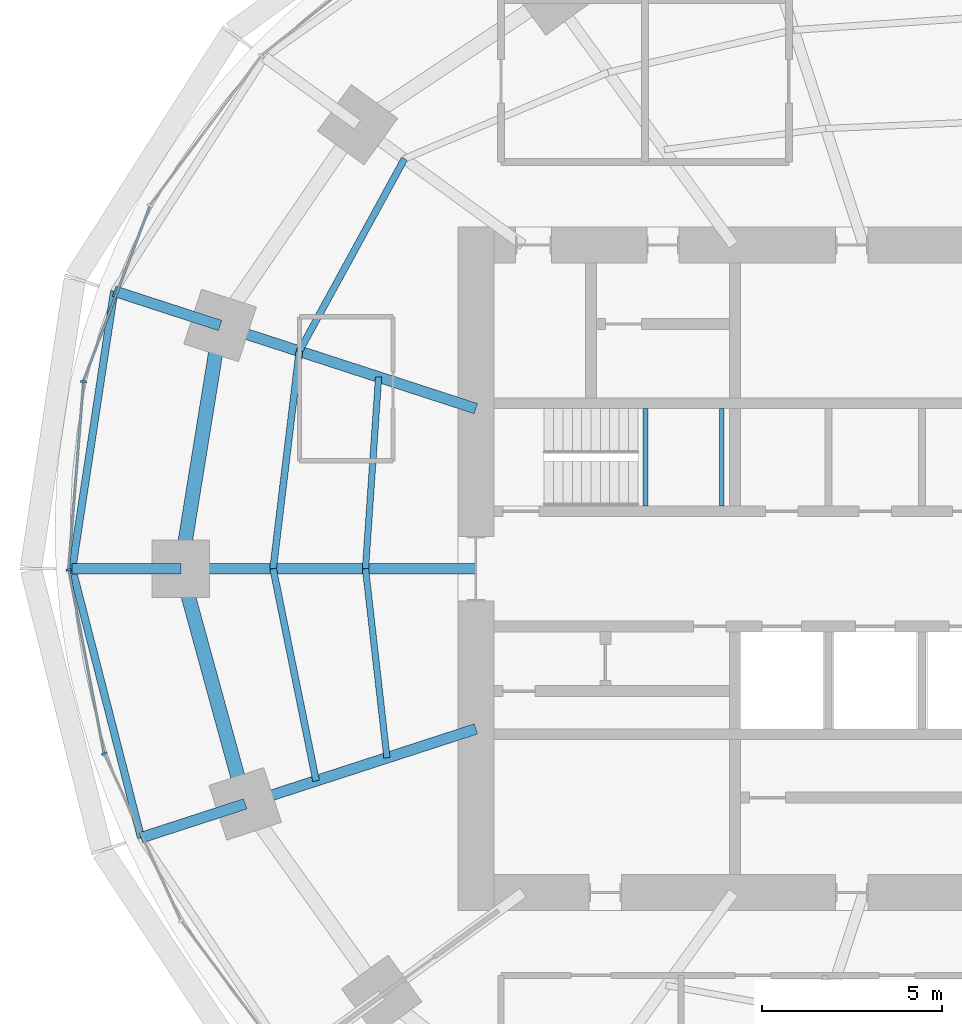
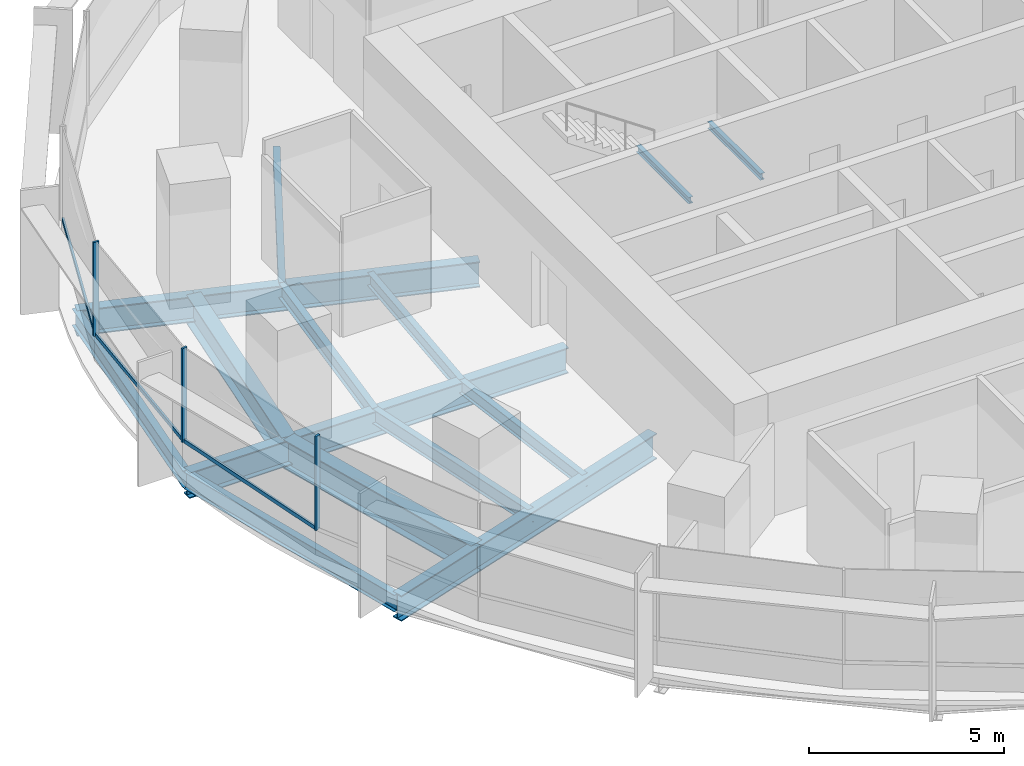
# One storey, part 4 of 14: 17 beams, 6 members, 2 elements without a shape of their own.
"""IFC4 building model written with IfcOpenShell, lengths in metres."""

from ifc_helpers import new_model, si_unit, direction, frame, origin, origin_2d, place, context, subcontext, project, spatial, rectangle, i_section, extrude, material, material_profile, profile_set, type_object, element, aggregate, save


model = new_model("IFC4")

# Units and contexts
model_context = context("Model", 3, precision=1e-05, world=origin(), true_north=direction((0.0, 1.0)))
body_context = subcontext(model_context, "Body", "Model", "MODEL_VIEW")
ifc_project = project(units=[si_unit("LENGTHUNIT", "METRE"), si_unit("AREAUNIT", "SQUARE_METRE"), si_unit("VOLUMEUNIT", "CUBIC_METRE"), si_unit("PLANEANGLEUNIT", "RADIAN"), si_unit("MASSUNIT", "GRAM", prefix="KILO")], contexts=[model_context])

# Site, building, storey
site_placement = place(None, origin())
site = spatial("IfcSite", under=ifc_project, at=site_placement, CompositionType="ELEMENT")
building_placement = place(site_placement, origin())
building = spatial("IfcBuilding", under=site, at=building_placement, Name="Marramba Exchange Tower", CompositionType="ELEMENT")
storey_placement = place(building_placement, frame((0.0, 0.0, 139.199951171875)))
storey = spatial("IfcBuildingStorey", under=building, at=storey_placement, Name="L33", CompositionType="ELEMENT", Elevation=139.199951171875)

# Beams
ifc_material_1 = material(Name="Steel AS/NZS 3679.2 grade 300", Category="steel")
ifc_material_profile_1 = material_profile(ifc_material_1, i_section(OverallWidth=0.300048828125, OverallDepth=0.800048828125, WebThickness=0.013916015625, FlangeThickness=0.031982421875, at=origin_2d()), Name="800WB192")
ifc_profile_set_1 = profile_set([ifc_material_profile_1], Name="Steel AS/NZS 3679.2 grade 300")
beam_type_1 = type_object("IfcBeamType", Name="Cantilever girder 800WB192", PredefinedType="BEAM", material=ifc_profile_set_1)
beam_1_placement = place(storey_placement, frame((-20.808349609375, 6.760986328125, -0.56005859375), z_axis=(-0.95104799017, 0.309043233858, 0.0), x_axis=(-0.309043233858, -0.95104799017, 0.0)))
element("IfcBeam", 1, at=beam_1_placement, inside=storey, type_object=beam_type_1, Name="Cantilever girder L33 TC10", PredefinedType="BEAM", context=body_context, shape_type="SweptSolid", body=[
    extrude(i_section(OverallWidth=0.300048828125, OverallDepth=0.800048828125, WebThickness=0.013916015625, FlangeThickness=0.031982421875, at=origin_2d()), origin(), (0.0, 0.0, 1.0), 3.0927734375),
])
beam_2_placement = place(storey_placement, frame((-21.89990234375, 0.0, -0.56005859375), z_axis=(-1.0, 0.0, 0.0), x_axis=(0.0, -1.0, 0.0)))
element("IfcBeam", 2, at=beam_2_placement, inside=storey, type_object=beam_type_1, Name="Cantilever girder L33 TC11", PredefinedType="BEAM", context=body_context, shape_type="SweptSolid", body=[
    extrude(i_section(OverallWidth=0.300048828125, OverallDepth=0.800048828125, WebThickness=0.013916015625, FlangeThickness=0.031982421875, at=origin_2d()), origin(), (0.0, 0.0, 1.0), 3.01806640625),
])
beam_3_placement = place(storey_placement, frame((-20.109375, -6.533935546875, -0.56005859375), z_axis=(-0.951070617775, -0.308973591113, 0.0), x_axis=(0.308973591113, -0.951070617775, 0.0)))
element("IfcBeam", 3, at=beam_3_placement, inside=storey, type_object=beam_type_1, Name="Cantilever girder L33 TC12", PredefinedType="BEAM", context=body_context, shape_type="SweptSolid", body=[
    extrude(i_section(OverallWidth=0.300048828125, OverallDepth=0.800048828125, WebThickness=0.013916015625, FlangeThickness=0.031982421875, at=origin_2d()), origin(), (0.0, 0.0, 1.0), 3.04296875),
])
ifc_material_2 = material(Name="Steel AS/NZS 3679.1 grade 300", Category="steel")
ifc_material_profile_2 = material_profile(ifc_material_2, i_section(OverallWidth=0.177978515625, OverallDepth=0.406005859375, WebThickness=0.0078125, FlangeThickness=0.0126953125, FilletRadius=0.011474609375, at=origin_2d()), Name="410UB59.7")
ifc_profile_set_2 = profile_set([ifc_material_profile_2], Name="Steel AS/NZS 3679.1 grade 300")
beam_type_2 = type_object("IfcBeamType", Name="Floor joist 410UB59.7", PredefinedType="JOIST", material=ifc_profile_set_2)
beam_4_placement = place(storey_placement, frame((-16.40283203125, 5.32958984375, -0.363037109375), z_axis=(-0.068096259546, -0.99767875563, 0.0), x_axis=(0.99767875563, -0.068096259546, 0.0)))
element("IfcBeam", 4, at=beam_4_placement, inside=storey, type_object=beam_type_2, Name="Joist L33 bay 10 row 1", PredefinedType="JOIST", context=body_context, shape_type="SweptSolid", body=[
    extrude(i_section(OverallWidth=0.177978515625, OverallDepth=0.406005859375, WebThickness=0.0078125, FlangeThickness=0.0126953125, FilletRadius=0.011474609375, at=origin_2d()), origin(), (0.0, 0.0, 1.0), 5.342041015625),
])
beam_5_placement = place(storey_placement, frame((-16.7666015625, 0.0, -0.363037109375), z_axis=(0.112888968594, -0.993607609054, 0.0), x_axis=(0.993607609054, 0.112888968594, 0.0)))
element("IfcBeam", 5, at=beam_5_placement, inside=storey, type_object=beam_type_2, Name="Joist L33 bay 11 row 1", PredefinedType="JOIST", context=body_context, shape_type="SweptSolid", body=[
    extrude(i_section(OverallWidth=0.177978515625, OverallDepth=0.406005859375, WebThickness=0.0078125, FlangeThickness=0.0126953125, FilletRadius=0.011474609375, at=origin_2d()), origin(), (0.0, 0.0, 1.0), 5.28759765625),
])
ifc_material_profile_3 = material_profile(ifc_material_2, i_section(OverallWidth=0.18994140625, OverallDepth=0.4541015625, WebThickness=0.008544921875, FlangeThickness=0.0126953125, FilletRadius=0.011474609375, at=origin_2d()), Name="460UB67.1")
ifc_profile_set_3 = profile_set([ifc_material_profile_3], Name="Steel AS/NZS 3679.1 grade 300")
beam_type_3 = type_object("IfcBeamType", Name="Floor joist 460UB67.1", PredefinedType="JOIST", material=ifc_profile_set_3)
beam_6_placement = place(storey_placement, frame((-15.682373046875, 11.393798828125, -0.386962890625), z_axis=(-0.479584443791, -0.877495732909, 0.0), x_axis=(0.877495732909, -0.479584443791, 0.0)))
element("IfcBeam", 6, at=beam_6_placement, inside=storey, type_object=beam_type_3, Name="Joist L33 bay 09 row 2", PredefinedType="JOIST", context=body_context, shape_type="SweptSolid", body=[
    extrude(i_section(OverallWidth=0.18994140625, OverallDepth=0.4541015625, WebThickness=0.008544921875, FlangeThickness=0.0126953125, FilletRadius=0.011474609375, at=origin_2d()), origin(), (0.0, 0.0, 1.0), 6.094970703125),
])
beam_7_placement = place(storey_placement, frame((-18.60546875, 6.04541015625, -0.386962890625), z_axis=(-0.119523078538, -0.992831422597, 0.0), x_axis=(0.992831422597, -0.119523078538, 0.0)))
element("IfcBeam", 7, at=beam_7_placement, inside=storey, type_object=beam_type_3, Name="Joist L33 bay 10 row 2", PredefinedType="JOIST", context=body_context, shape_type="SweptSolid", body=[
    extrude(i_section(OverallWidth=0.18994140625, OverallDepth=0.4541015625, WebThickness=0.008544921875, FlangeThickness=0.0126953125, FilletRadius=0.011474609375, at=origin_2d()), origin(), (0.0, 0.0, 1.0), 6.089111328125),
])
beam_8_placement = place(storey_placement, frame((-19.333251953125, 0.0, -0.386962890625), z_axis=(0.198489047047, -0.980103105904, 0.0), x_axis=(0.980103105904, 0.198489047047, 0.0)))
element("IfcBeam", 8, at=beam_8_placement, inside=storey, type_object=beam_type_3, Name="Joist L33 bay 11 row 2", PredefinedType="JOIST", context=body_context, shape_type="SweptSolid", body=[
    extrude(i_section(OverallWidth=0.18994140625, OverallDepth=0.4541015625, WebThickness=0.008544921875, FlangeThickness=0.0126953125, FilletRadius=0.011474609375, at=origin_2d()), origin(), (0.0, 0.0, 1.0), 6.013427734375),
])

# Curtain wall, member
ifc_material_3 = material(Name="Aluminium framing, bronze anodised", Category="aluminium")
curtain_wall_type = type_object("IfcCurtainWallType", Name="Office ribbon curtain wall", PredefinedType="USERDEFINED", material=ifc_material_3)
curtain_wall_1_placement = place(storey_placement, origin())
curtain_wall_1 = element("IfcCurtainWall", 9, at=curtain_wall_1_placement, inside=storey, type_object=curtain_wall_type, Name="Curtain wall CW4 L33 F11-F15", ObjectType="RIBBON CURTAIN WALL", PredefinedType="USERDEFINED")
ifc_material_4 = material(Name="Aluminium mullion, bronze anodised", Category="aluminium")
ifc_material_profile_4 = material_profile(ifc_material_4, rectangle(XDim=0.159912109375, YDim=0.06005859375, at=origin_2d()), Name="CW4 mullion 60x160")
ifc_profile_set_4 = profile_set([ifc_material_profile_4], Name="Aluminium mullion, bronze anodised")
member_type_1 = type_object("IfcMemberType", Name="Office ribbon curtain wall mullion", PredefinedType="MULLION", material=ifc_profile_set_4)
member_1_placement = place(storey_placement, frame((-24.603515625, 5.19921875, 0.800048828125), z_axis=(0.0, 0.0, 1.0), x_axis=(0.996838079455, -0.079459696383, 0.0)))
member_1 = element("IfcMember", 10, at=member_1_placement, type_object=member_type_1, Name="CW4 mullion 1", PredefinedType="MULLION", context=body_context, shape_type="SweptSolid", body=[
    extrude(rectangle(XDim=0.159912109375, YDim=0.06005859375, at=origin_2d()), origin(), (0.0, 0.0, 1.0), 2.93994140625),
])

# Curtain wall, members
curtain_wall_2_placement = place(storey_placement, origin())
curtain_wall_2 = element("IfcCurtainWall", 11, at=curtain_wall_2_placement, inside=storey, type_object=curtain_wall_type, Name="Curtain wall CW4 L33 F16-F20", ObjectType="RIBBON CURTAIN WALL", PredefinedType="USERDEFINED")
member_2_placement = place(storey_placement, frame((-25.012451171875, -0.029541015625, 0.800048828125), z_axis=(0.0, 0.0, 1.0), x_axis=(0.982125509078, 0.18822721487, 0.0)))
member_2 = element("IfcMember", 12, at=member_2_placement, type_object=member_type_1, Name="CW4 mullion 1", PredefinedType="MULLION", context=body_context, shape_type="SweptSolid", body=[
    extrude(rectangle(XDim=0.159912109375, YDim=0.06005859375, at=origin_2d()), origin(), (0.0, 0.0, 1.0), 2.93994140625),
])
member_3_placement = place(storey_placement, frame((-24.026123046875, -5.136962890625, 0.800048828125), z_axis=(0.0, 0.0, 1.0), x_axis=(0.909026713177, 0.416737848929, 0.0)))
member_3 = element("IfcMember", 13, at=member_3_placement, type_object=member_type_1, Name="CW4 mullion 1", PredefinedType="MULLION", context=body_context, shape_type="SweptSolid", body=[
    extrude(rectangle(XDim=0.159912109375, YDim=0.06005859375, at=origin_2d()), origin(), (0.0, 0.0, 1.0), 2.93994140625),
])

# Member
ifc_material_5 = material(Name="Aluminium transom, bronze anodised", Category="aluminium")
ifc_material_profile_5 = material_profile(ifc_material_5, rectangle(XDim=0.06005859375, YDim=0.1201171875, at=origin_2d()), Name="CW4 transom 60x120")
ifc_profile_set_5 = profile_set([ifc_material_profile_5], Name="Aluminium transom, bronze anodised")
member_type_2 = type_object("IfcMemberType", Name="Office ribbon curtain wall transom", PredefinedType="USERDEFINED", material=ifc_profile_set_5)
member_4_placement = place(storey_placement, frame((-22.763916015625, 10.069580078125, 0.830078125), z_axis=(-0.354851822252, -0.934922555212, 0.0), x_axis=(0.934922555212, -0.354851822252, 0.0)))
member_4 = element("IfcMember", 14, at=member_4_placement, type_object=member_type_2, Name="CW4 sill transom", ObjectType="TRANSOM", PredefinedType="USERDEFINED", context=body_context, shape_type="SweptSolid", body=[
    extrude(rectangle(XDim=0.06005859375, YDim=0.1201171875, at=origin_2d()), origin(), (0.0, 0.0, 1.0), 5.17724609375),
])

member_5_placement = place(storey_placement, frame((-24.60595703125, 5.16943359375, 0.830078125), z_axis=(-0.07946828762, -0.996837394595, 0.0), x_axis=(0.996837394595, -0.07946828762, 0.0)))
member_5 = element("IfcMember", 15, at=member_5_placement, type_object=member_type_2, Name="CW4 sill transom", ObjectType="TRANSOM", PredefinedType="USERDEFINED", context=body_context, shape_type="SweptSolid", body=[
    extrude(rectangle(XDim=0.06005859375, YDim=0.1201171875, at=origin_2d()), origin(), (0.0, 0.0, 1.0), 5.185791015625),
])

aggregate(curtain_wall_1, [member_4, member_1, member_5])

member_6_placement = place(storey_placement, frame((-25.006591796875, -0.058837890625, 0.830078125), z_axis=(0.188185293992, -0.982133542409, 0.0), x_axis=(0.982133542409, 0.188185293992, 0.0)))
member_6 = element("IfcMember", 16, at=member_6_placement, type_object=member_type_2, Name="CW4 sill transom", ObjectType="TRANSOM", PredefinedType="USERDEFINED", context=body_context, shape_type="SweptSolid", body=[
    extrude(rectangle(XDim=0.06005859375, YDim=0.1201171875, at=origin_2d()), origin(), (0.0, 0.0, 1.0), 5.142578125),
])

aggregate(curtain_wall_2, [member_2, member_6, member_3])

# Beams
ifc_material_profile_6 = material_profile(ifc_material_1, i_section(OverallWidth=0.300048828125, OverallDepth=0.800048828125, WebThickness=0.013916015625, FlangeThickness=0.031982421875, at=origin_2d()), Name="800WB192")
ifc_profile_set_6 = profile_set([ifc_material_profile_6], Name="Steel AS/NZS 3679.2 grade 300")
beam_type_4 = type_object("IfcBeamType", Name="Radial girder 800WB192", PredefinedType="BEAM", material=ifc_profile_set_6)
beam_9_placement = place(storey_placement, frame((-13.699951171875, 4.451416015625, -0.56005859375), z_axis=(-0.951059990189, 0.309006302624, 0.0), x_axis=(-0.309006302624, -0.951059990189, 0.0)))
element("IfcBeam", 17, at=beam_9_placement, inside=storey, type_object=beam_type_4, Name="Radial girder L33 TC10", PredefinedType="BEAM", context=body_context, shape_type="SweptSolid", body=[
    extrude(i_section(OverallWidth=0.300048828125, OverallDepth=0.800048828125, WebThickness=0.013916015625, FlangeThickness=0.031982421875, at=origin_2d()), origin(), (0.0, 0.0, 1.0), 7.47412109375),
])
beam_10_placement = place(storey_placement, frame((-13.699951171875, 0.0, -0.56005859375), z_axis=(-1.0, 0.0, 0.0), x_axis=(0.0, -1.0, 0.0)))
element("IfcBeam", 18, at=beam_10_placement, inside=storey, type_object=beam_type_4, Name="Radial girder L33 TC11", PredefinedType="BEAM", context=body_context, shape_type="SweptSolid", body=[
    extrude(i_section(OverallWidth=0.300048828125, OverallDepth=0.800048828125, WebThickness=0.013916015625, FlangeThickness=0.031982421875, at=origin_2d()), origin(), (0.0, 0.0, 1.0), 8.199951171875),
])
beam_11_placement = place(storey_placement, frame((-13.699951171875, -4.451416015625, -0.56005859375), z_axis=(-0.951057759669, -0.309013167637, 0.0), x_axis=(0.309013167637, -0.951057759669, 0.0)))
element("IfcBeam", 19, at=beam_11_placement, inside=storey, type_object=beam_type_4, Name="Radial girder L33 TC12", PredefinedType="BEAM", context=body_context, shape_type="SweptSolid", body=[
    extrude(i_section(OverallWidth=0.300048828125, OverallDepth=0.800048828125, WebThickness=0.013916015625, FlangeThickness=0.031982421875, at=origin_2d()), origin(), (0.0, 0.0, 1.0), 6.7392578125),
])
ifc_material_profile_7 = material_profile(ifc_material_1, i_section(OverallWidth=0.39990234375, OverallDepth=0.89990234375, WebThickness=0.01611328125, FlangeThickness=0.031982421875, at=origin_2d()), Name="900WB282")
ifc_profile_set_7 = profile_set([ifc_material_profile_7], Name="Steel AS/NZS 3679.2 grade 300")
beam_type_5 = type_object("IfcBeamType", Name="Ring beam 900WB282", PredefinedType="SPANDREL", material=ifc_profile_set_7)
beam_12_placement = place(storey_placement, frame((-20.808349609375, 6.760986328125, -0.60986328125), z_axis=(-0.159384865399, -0.987216523708, 0.0), x_axis=(0.987216523708, -0.159384865399, 0.0)))
element("IfcBeam", 20, at=beam_12_placement, inside=storey, type_object=beam_type_5, Name="Ring beam L33 TC10-TC11", PredefinedType="SPANDREL", context=body_context, shape_type="SweptSolid", body=[
    extrude(i_section(OverallWidth=0.39990234375, OverallDepth=0.89990234375, WebThickness=0.01611328125, FlangeThickness=0.031982421875, at=origin_2d()), origin(), (0.0, 0.0, 1.0), 6.8486328125),
])
beam_13_placement = place(storey_placement, frame((-21.89990234375, 0.0, -0.60986328125), z_axis=(0.264291166956, -0.964442937176, 0.0), x_axis=(0.964442937176, 0.264291166956, 0.0)))
element("IfcBeam", 21, at=beam_13_placement, inside=storey, type_object=beam_type_5, Name="Ring beam L33 TC11-TC12", PredefinedType="SPANDREL", context=body_context, shape_type="SweptSolid", body=[
    extrude(i_section(OverallWidth=0.39990234375, OverallDepth=0.89990234375, WebThickness=0.01611328125, FlangeThickness=0.031982421875, at=origin_2d()), origin(), (0.0, 0.0, 1.0), 6.77490234375),
])
ifc_material_profile_8 = material_profile(ifc_material_2, i_section(OverallWidth=0.208984375, OverallDepth=0.528076171875, WebThickness=0.009521484375, FlangeThickness=0.01318359375, FilletRadius=0.013916015625, at=origin_2d()), Name="530UB82.0")
ifc_profile_set_8 = profile_set([ifc_material_profile_8], Name="Steel AS/NZS 3679.1 grade 300")
beam_type_6 = type_object("IfcBeamType", Name="Slab edge beam 530UB82.0", PredefinedType="SPANDREL", material=ifc_profile_set_8)
beam_14_placement = place(storey_placement, frame((-23.749755859375, 7.716796875, -0.424072265625), z_axis=(-0.149680281727, -0.988734450326, 0.0), x_axis=(0.988734450326, -0.149680281727, 0.0)))
element("IfcBeam", 22, at=beam_14_placement, inside=storey, type_object=beam_type_6, Name="Slab edge beam L33 TC10-TC11", PredefinedType="SPANDREL", context=body_context, shape_type="SweptSolid", body=[
    extrude(i_section(OverallWidth=0.208984375, OverallDepth=0.528076171875, WebThickness=0.009521484375, FlangeThickness=0.01318359375, FilletRadius=0.013916015625, at=origin_2d()), origin(), (0.0, 0.0, 1.0), 7.8046875),
])
beam_15_placement = place(storey_placement, frame((-24.91796875, 0.0, -0.424072265625), z_axis=(0.248145427917, -0.968722791413, 0.0), x_axis=(0.968722791413, 0.248145427917, 0.0)))
element("IfcBeam", 23, at=beam_15_placement, inside=storey, type_object=beam_type_6, Name="Slab edge beam L33 TC11-TC12", PredefinedType="SPANDREL", context=body_context, shape_type="SweptSolid", body=[
    extrude(i_section(OverallWidth=0.208984375, OverallDepth=0.528076171875, WebThickness=0.009521484375, FlangeThickness=0.01318359375, FilletRadius=0.013916015625, at=origin_2d()), origin(), (0.0, 0.0, 1.0), 7.71533203125),
])
ifc_material_profile_9 = material_profile(ifc_material_2, i_section(OverallWidth=0.133056640625, OverallDepth=0.202880859375, WebThickness=0.005859375, FlangeThickness=0.0078125, FilletRadius=0.0087890625, at=origin_2d()), Name="200UB25.4")
ifc_profile_set_9 = profile_set([ifc_material_profile_9], Name="Steel AS/NZS 3679.1 grade 300")
beam_type_7 = type_object("IfcBeamType", Name="Stair landing beam 200UB25.4", PredefinedType="BEAM", material=ifc_profile_set_9)
for number, where, z_axis, x_axis, name in (
    (24, (-8.9833984375, 1.75, 1.6484375), (0.0, 1.0, 0.0), (-1.0, 0.0, 0.0), "Stair landing beam SLB1 ST1 L33 1"),
    (25, (-6.866455078125, 1.75, 1.6484375), (0.0, 1.0, 0.0), (-1.0, 0.0, 0.0), "Stair landing beam SLB1 ST1 L33 2"),
):
    element("IfcBeam", number, at=place(storey_placement, frame(where, z_axis=z_axis, x_axis=x_axis)), inside=storey, type_object=beam_type_7, Name=name, PredefinedType="BEAM", context=body_context, shape_type="SweptSolid", body=[
        extrude(i_section(OverallWidth=0.133056640625, OverallDepth=0.202880859375, WebThickness=0.005859375, FlangeThickness=0.0078125, FilletRadius=0.0087890625, at=origin_2d()), origin(), (0.0, 0.0, 1.0), 2.699951171875),
    ])

save(model, "model.ifc")
